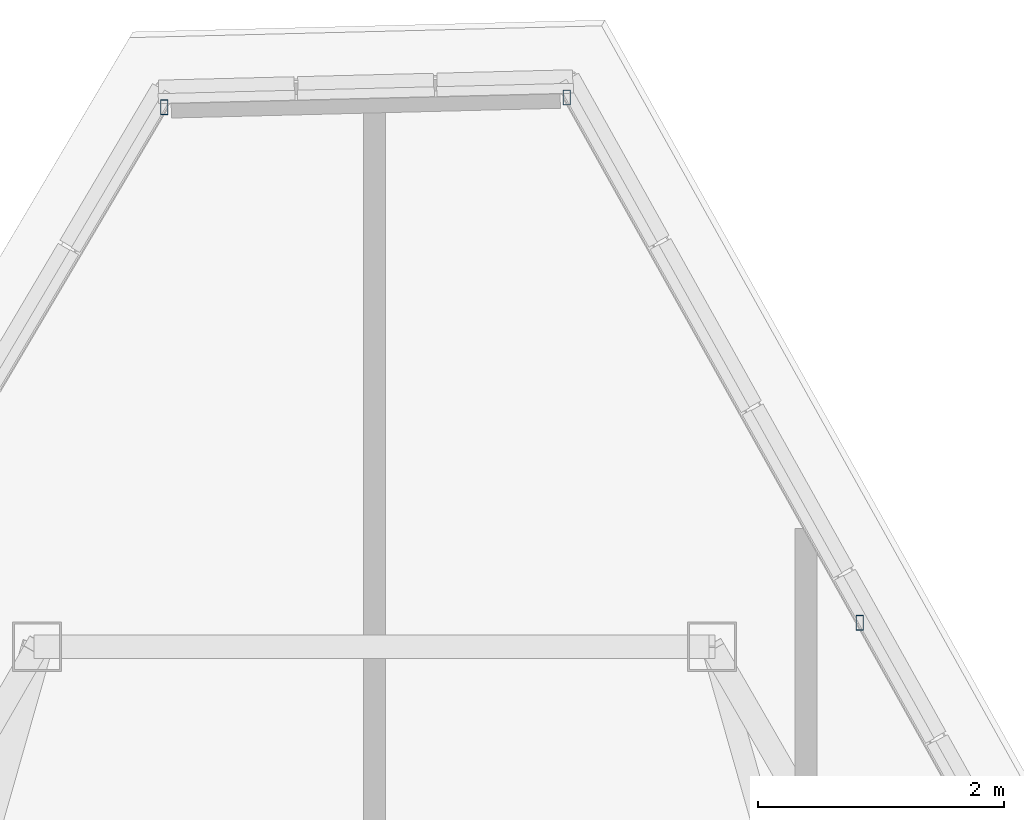
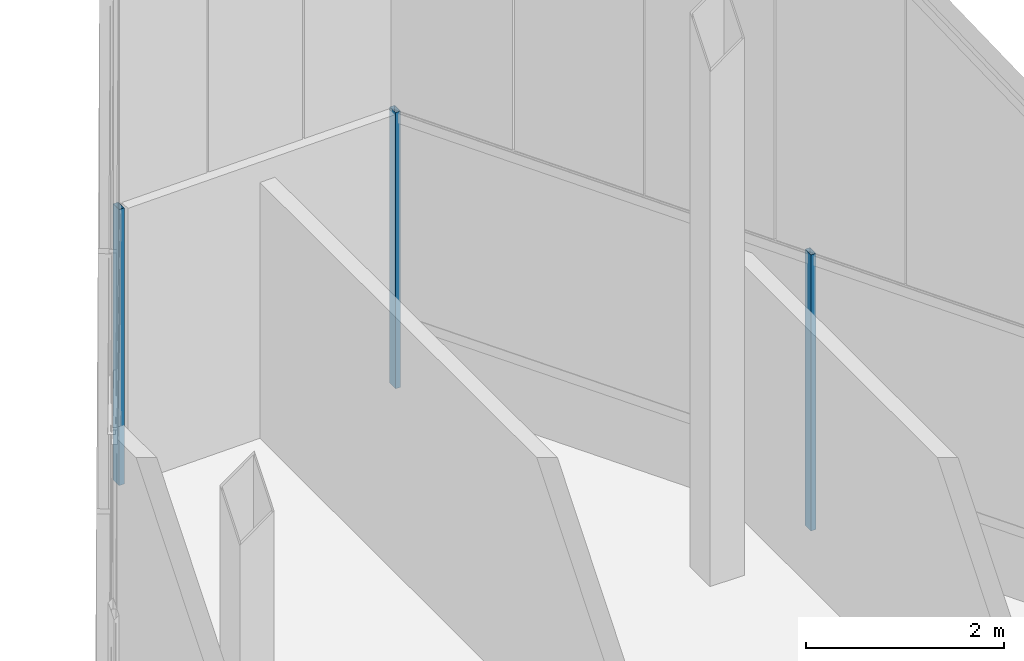
# One storey, part 42 of 50: 3 members, 2 elements without a shape of their own.
"""IFC4 building model written with IfcOpenShell, lengths in metres."""

from ifc_helpers import new_model, si_unit, direction, frame, origin, origin_2d, place, context, subcontext, project, spatial, hollow_rectangle, extrude, source, transform, mapped, material, material_profile, profile_set, type_object, type_shapes, element, aggregate, save


model = new_model("IFC4")

# Units and contexts
model_context = context("Model", 3, precision=1e-05, world=origin(), true_north=direction((0.0, 1.0)))
body_context = subcontext(model_context, "Body", "Model", "MODEL_VIEW")
ifc_project = project(units=[si_unit("LENGTHUNIT", "METRE"), si_unit("AREAUNIT", "SQUARE_METRE"), si_unit("VOLUMEUNIT", "CUBIC_METRE"), si_unit("PLANEANGLEUNIT", "RADIAN"), si_unit("MASSUNIT", "GRAM", prefix="KILO")], contexts=[model_context])

# Site, building, storey
site_placement = place(None, origin())
site = spatial("IfcSite", under=ifc_project, at=site_placement, CompositionType="ELEMENT")
building_placement = place(site_placement, origin())
building = spatial("IfcBuilding", under=site, at=building_placement, Name="Caelisora Broadcast Tower", CompositionType="ELEMENT")
storey_placement = place(building_placement, frame((0.0, 0.0, 303.39990234375)))
storey = spatial("IfcBuildingStorey", under=building, at=storey_placement, Name="L80", CompositionType="ELEMENT", Elevation=303.39990234375)

# Curtain wall, members
ifc_material_1 = material(Name="Unitised Aluminium Insulated Shadow-Box Spandrel Curtain Wall", Category="aluminium")
curtain_wall_type = type_object("IfcCurtainWallType", Name="CW-SP3", PredefinedType="NOTDEFINED", material=ifc_material_1)
curtain_wall_1_placement = place(storey_placement, origin())
curtain_wall_1 = element("IfcCurtainWall", 1, at=curtain_wall_1_placement, inside=storey, type_object=curtain_wall_type, Name="L80 curtain wall CW-SP3", PredefinedType="NOTDEFINED")
ifc_material_2 = material(Name="Aluminium 6063-T6 Anodised Terracotta Bronze", Category="aluminium")
ifc_material_profile = material_profile(ifc_material_2, hollow_rectangle(XDim=0.06005859375, YDim=0.1201171875, WallThickness=0.0029296875, at=origin_2d()), Name="Aluminium 6063-T6 Anodised Terracotta Bronze")
ifc_profile_set = profile_set([ifc_material_profile], Name="Aluminium 6063-T6 Anodised Terracotta Bronze")
member_type = type_object("IfcMemberType", Name="CWM-04", PredefinedType="MULLION", material=ifc_profile_set)
shared_shape = source(origin(), body_context, "Body", "SweptSolid", [
    extrude(hollow_rectangle(XDim=0.06005859375, YDim=0.1201171875, WallThickness=0.0029296875, at=origin_2d()), origin(), (0.0, 0.0, 1.0), 3.400146484375),
])
type_shapes(member_type, [shared_shape])
member_1_placement = place(storey_placement, frame((39.559326171875, 51.21337890625, 0.0), z_axis=(0.0, 0.0, 1.0), x_axis=(1.0, 0.0, 0.0)))
member_1 = element("IfcMember", 2, at=member_1_placement, type_object=member_type, Name="L80-CW-B01 mullion #0", PredefinedType="MULLION", context=body_context, shape_type="MappedRepresentation", body=[
    mapped(shared_shape, transform((0.0, 0.0, 0.0), scale=1.0)),
])
member_2_placement = place(storey_placement, frame((41.93701171875, 46.9521484375, 0.0), z_axis=(0.0, 0.0, 1.0), x_axis=(1.0, 0.0, 0.0)))
member_2 = element("IfcMember", 3, at=member_2_placement, type_object=member_type, Name="L80-CW-B01 mullion #1", PredefinedType="MULLION", context=body_context, shape_type="MappedRepresentation", body=[
    mapped(shared_shape, transform((0.0, 0.0, 0.0), scale=1.0)),
])
aggregate(curtain_wall_1, [member_1, member_2])

# Curtain wall, member
curtain_wall_2_placement = place(storey_placement, origin())
curtain_wall_2 = element("IfcCurtainWall", 4, at=curtain_wall_2_placement, inside=storey, type_object=curtain_wall_type, Name="L80 curtain wall CW-SP3", PredefinedType="NOTDEFINED")
member_3_placement = place(storey_placement, frame((36.293701171875, 51.133056640625, 0.0), z_axis=(0.0, 0.0, 1.0), x_axis=(1.0, 0.0, 0.0)))
member_3 = element("IfcMember", 5, at=member_3_placement, type_object=member_type, Name="L80-CW-B11 mullion #3", PredefinedType="MULLION", context=body_context, shape_type="MappedRepresentation", body=[
    mapped(shared_shape, transform((0.0, 0.0, 0.0), scale=1.0)),
])
aggregate(curtain_wall_2, [member_3])

save(model, "model.ifc")
